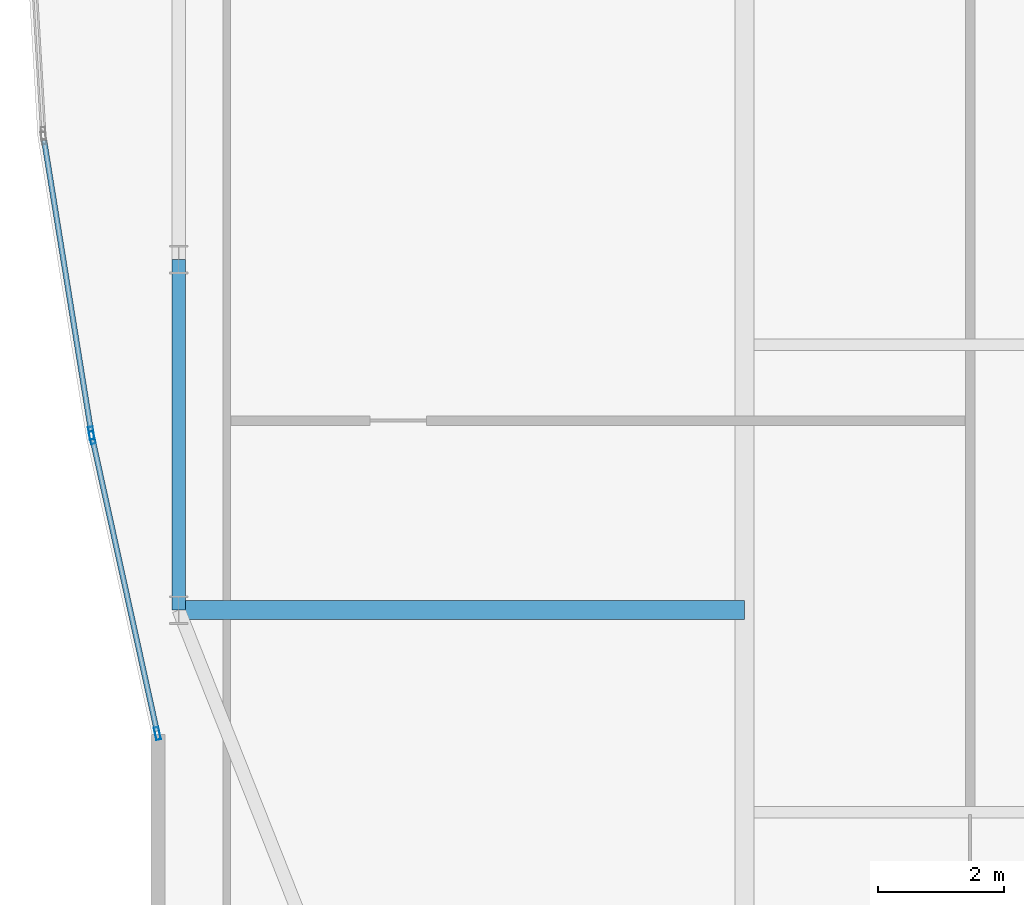
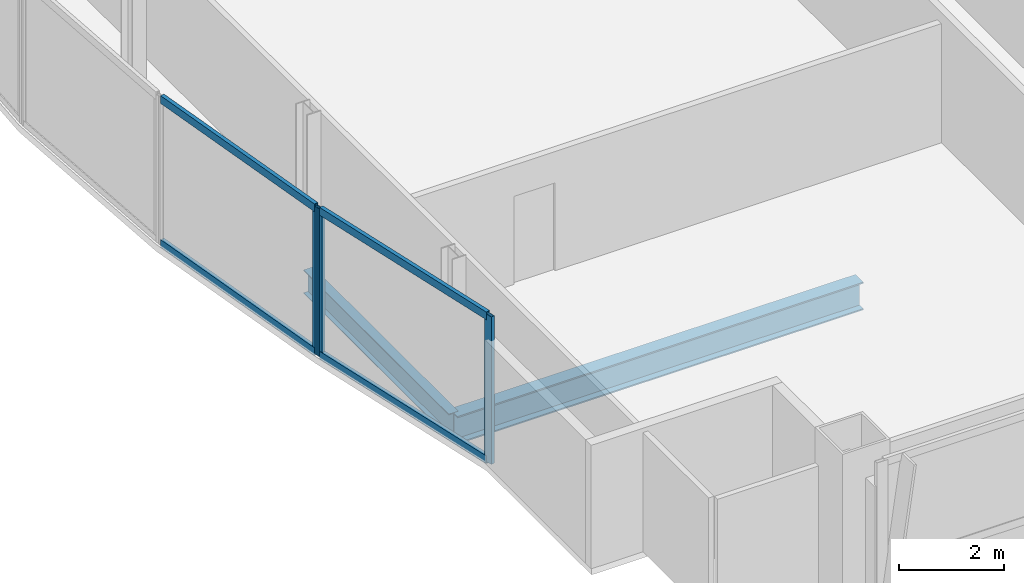
# One storey, part 6 of 30: 7 members, 2 beams, 2 elements without a shape of their own.
"""IFC4 building model written with IfcOpenShell, lengths in metres."""

from ifc_helpers import new_model, si_unit, direction, frame, origin, origin_2d, place, context, subcontext, project, spatial, hollow_rectangle, i_section, extrude, material, material_profile, profile_set, type_object, element, aggregate, save


model = new_model("IFC4")

# Units and contexts
model_context = context("Model", 3, precision=1e-05, world=origin(), true_north=direction((0.0, 1.0)))
body_context = subcontext(model_context, "Body", "Model", "MODEL_VIEW")
ifc_project = project(units=[si_unit("LENGTHUNIT", "METRE"), si_unit("AREAUNIT", "SQUARE_METRE"), si_unit("VOLUMEUNIT", "CUBIC_METRE"), si_unit("PLANEANGLEUNIT", "RADIAN"), si_unit("MASSUNIT", "GRAM", prefix="KILO")], contexts=[model_context])

# Site, building, storey
site_placement = place(None, origin())
site = spatial("IfcSite", under=ifc_project, at=site_placement, CompositionType="ELEMENT")
building_placement = place(site_placement, origin())
building = spatial("IfcBuilding", under=site, at=building_placement, Name="Khoronbel Lancet Exchange", CompositionType="ELEMENT")
storey_placement = place(building_placement, frame((0.0, 0.0, 269.800048828125)))
storey = spatial("IfcBuildingStorey", under=building, at=storey_placement, Name="L69", CompositionType="ELEMENT", Elevation=269.800048828125)

# Beams
ifc_material_1 = material(Name="Steel S355", Category="steel")
ifc_material_profile_1 = material_profile(ifc_material_1, i_section(OverallWidth=0.300048828125, OverallDepth=0.64990234375, WebThickness=0.01611328125, FlangeThickness=0.031005859375, at=origin_2d()), Name="HEB 650")
ifc_profile_set_1 = profile_set([ifc_material_profile_1], Name="Steel S355")
beam_type_1 = type_object("IfcBeamType", Name="BM-BG4", PredefinedType="BEAM", material=ifc_profile_set_1)
beam_1_placement = place(storey_placement, frame((9.27001953125, 19.199951171875, -0.485107421875), z_axis=(1.0, 0.0, 0.0), x_axis=(0.0, 1.0, 0.0)))
element("IfcBeam", 1, at=beam_1_placement, inside=storey, type_object=beam_type_1, Name="Level L69 west lens tie girder LG1W", PredefinedType="BEAM", context=body_context, shape_type="SweptSolid", body=[
    extrude(i_section(OverallWidth=0.300048828125, OverallDepth=0.64990234375, WebThickness=0.01611328125, FlangeThickness=0.031005859375, at=origin_2d()), origin(), (0.0, 0.0, 1.0), 8.955078125),
])
ifc_material_profile_2 = material_profile(ifc_material_1, i_section(OverallWidth=0.2099609375, OverallDepth=0.550048828125, WebThickness=0.010986328125, FlangeThickness=0.01708984375, at=origin_2d()), Name="IPE 550")
ifc_profile_set_2 = profile_set([ifc_material_profile_2], Name="Steel S355")
beam_type_2 = type_object("IfcBeamType", Name="BM-BSP3", PredefinedType="SPANDREL", material=ifc_profile_set_2)
beam_2_placement = place(storey_placement, frame((9.27001953125, 24.75, -0.43505859375), z_axis=(0.0, -1.0, 0.0), x_axis=(1.0, 0.0, 0.0)))
element("IfcBeam", 2, at=beam_2_placement, inside=storey, type_object=beam_type_2, Name="Level L69 perimeter spandrel beam SP20", PredefinedType="SPANDREL", context=body_context, shape_type="SweptSolid", body=[
    extrude(i_section(OverallWidth=0.2099609375, OverallDepth=0.550048828125, WebThickness=0.010986328125, FlangeThickness=0.01708984375, at=origin_2d()), origin(), (0.0, 0.0, 1.0), 5.550048828125),
])

# Curtain wall, members
ifc_material_2 = material(Name="Low-E Solar Control Insulating Glass", Category="glass")
curtain_wall_type = type_object("IfcCurtainWallType", Name="CW-4", PredefinedType="NOTDEFINED", material=ifc_material_2)
curtain_wall_1_placement = place(storey_placement, origin())
curtain_wall_1 = element("IfcCurtainWall", 3, at=curtain_wall_1_placement, inside=storey, type_object=curtain_wall_type, Name="Unitised curtain wall CW-L69-E04", PredefinedType="NOTDEFINED")
ifc_material_3 = material(Name="Bronze-Anodised Aluminium 6063-T6", Category="aluminium")
ifc_material_profile_3 = material_profile(ifc_material_3, hollow_rectangle(XDim=0.074951171875, YDim=0.199951171875, WallThickness=0.0048828125, at=origin_2d()), Name="ALU MULLION 75x200")
ifc_profile_set_3 = profile_set([ifc_material_profile_3], Name="Bronze-Anodised Aluminium 6063-T6")
member_type_1 = type_object("IfcMemberType", Name="MEM-CWM2", PredefinedType="MULLION", material=ifc_profile_set_3)
member_1_placement = place(storey_placement, frame((8.931884765625, 17.246337890625, 0.0), z_axis=(0.0, 0.0, 1.0), x_axis=(-0.976565223192, -0.21522166446, 0.0)))
member_1 = element("IfcMember", 4, at=member_1_placement, type_object=member_type_1, Name="CW4 mullion 1", PredefinedType="MULLION", context=body_context, shape_type="SweptSolid", body=[
    extrude(hollow_rectangle(XDim=0.074951171875, YDim=0.199951171875, WallThickness=0.0048828125, at=origin_2d()), origin(), (0.0, 0.0, 1.0), 3.43994140625),
])
member_2_placement = place(storey_placement, frame((7.899658203125, 21.93017578125, 0.0), z_axis=(0.0, 0.0, 1.0), x_axis=(-0.976565223192, -0.21522166446, 0.0)))
member_2 = element("IfcMember", 5, at=member_2_placement, type_object=member_type_1, Name="CW4 mullion 2", PredefinedType="MULLION", context=body_context, shape_type="SweptSolid", body=[
    extrude(hollow_rectangle(XDim=0.074951171875, YDim=0.199951171875, WallThickness=0.0048828125, at=origin_2d()), origin(), (0.0, 0.0, 1.0), 3.43994140625),
])

# Curtain wall, member
curtain_wall_2_placement = place(storey_placement, origin())
curtain_wall_2 = element("IfcCurtainWall", 6, at=curtain_wall_2_placement, inside=storey, type_object=curtain_wall_type, Name="Unitised curtain wall CW-L69-E05", PredefinedType="NOTDEFINED")
member_3_placement = place(storey_placement, frame((7.8857421875, 22.00390625, 0.0), z_axis=(0.0, 0.0, 1.0), x_axis=(-0.98723404771, -0.159276285246, 0.0)))
member_3 = element("IfcMember", 7, at=member_3_placement, type_object=member_type_1, Name="CW4 mullion 1", PredefinedType="MULLION", context=body_context, shape_type="SweptSolid", body=[
    extrude(hollow_rectangle(XDim=0.074951171875, YDim=0.199951171875, WallThickness=0.0048828125, at=origin_2d()), origin(), (0.0, 0.0, 1.0), 3.43994140625),
])

# Member
ifc_material_profile_4 = material_profile(ifc_material_3, hollow_rectangle(XDim=0.0849609375, YDim=0.179931640625, WallThickness=0.0048828125, at=origin_2d()), Name="ALU TRANSOM 85x180")
ifc_profile_set_4 = profile_set([ifc_material_profile_4], Name="Bronze-Anodised Aluminium 6063-T6")
member_type_2 = type_object("IfcMemberType", Name="MEM-CWT1", PredefinedType="USERDEFINED", material=ifc_profile_set_4)
member_4_placement = place(storey_placement, frame((8.923828125, 17.282958984375, 0.04248046875), z_axis=(-0.2152218324, 0.97656518618, 0.0), x_axis=(-0.97656518618, -0.2152218324, 0.0)))
member_4 = element("IfcMember", 8, at=member_4_placement, type_object=member_type_2, Name="CW4 transom 1.1", ObjectType="TRANSOM", PredefinedType="USERDEFINED", context=body_context, shape_type="SweptSolid", body=[
    extrude(hollow_rectangle(XDim=0.0849609375, YDim=0.179931640625, WallThickness=0.0048828125, at=origin_2d()), origin(), (0.0, 0.0, 1.0), 4.72119140625),
])

member_5_placement = place(storey_placement, frame((8.923828125, 17.282958984375, 3.3974609375), z_axis=(-0.2152218324, 0.97656518618, 0.0), x_axis=(-0.97656518618, -0.2152218324, 0.0)))
member_5 = element("IfcMember", 9, at=member_5_placement, type_object=member_type_2, Name="CW4 transom 1.2", ObjectType="TRANSOM", PredefinedType="USERDEFINED", context=body_context, shape_type="SweptSolid", body=[
    extrude(hollow_rectangle(XDim=0.0849609375, YDim=0.179931640625, WallThickness=0.0048828125, at=origin_2d()), origin(), (0.0, 0.0, 1.0), 4.72119140625),
])

aggregate(curtain_wall_1, [member_1, member_2, member_4, member_5])

member_6_placement = place(storey_placement, frame((7.879638671875, 22.041015625, 0.04248046875), z_axis=(-0.15925882677, 0.987236864231, 0.0), x_axis=(-0.987236864231, -0.15925882677, 0.0)))
member_6 = element("IfcMember", 10, at=member_6_placement, type_object=member_type_2, Name="CW4 transom 1.1", ObjectType="TRANSOM", PredefinedType="USERDEFINED", context=body_context, shape_type="SweptSolid", body=[
    extrude(hollow_rectangle(XDim=0.0849609375, YDim=0.179931640625, WallThickness=0.0048828125, at=origin_2d()), origin(), (0.0, 0.0, 1.0), 4.654052734375),
])

member_7_placement = place(storey_placement, frame((7.879638671875, 22.041015625, 3.3974609375), z_axis=(-0.15925882677, 0.987236864231, 0.0), x_axis=(-0.987236864231, -0.15925882677, 0.0)))
member_7 = element("IfcMember", 11, at=member_7_placement, type_object=member_type_2, Name="CW4 transom 1.2", ObjectType="TRANSOM", PredefinedType="USERDEFINED", context=body_context, shape_type="SweptSolid", body=[
    extrude(hollow_rectangle(XDim=0.0849609375, YDim=0.179931640625, WallThickness=0.0048828125, at=origin_2d()), origin(), (0.0, 0.0, 1.0), 4.654052734375),
])

aggregate(curtain_wall_2, [member_3, member_6, member_7])

save(model, "model.ifc")
